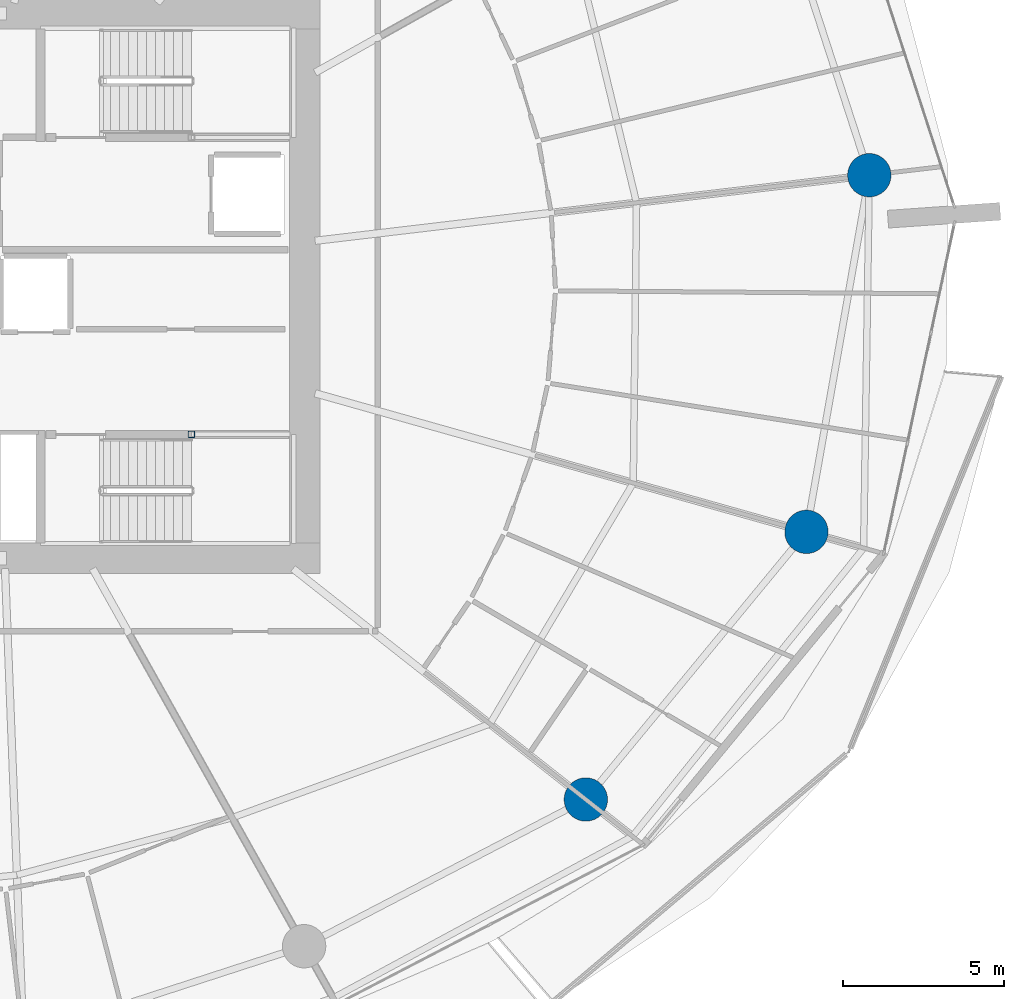
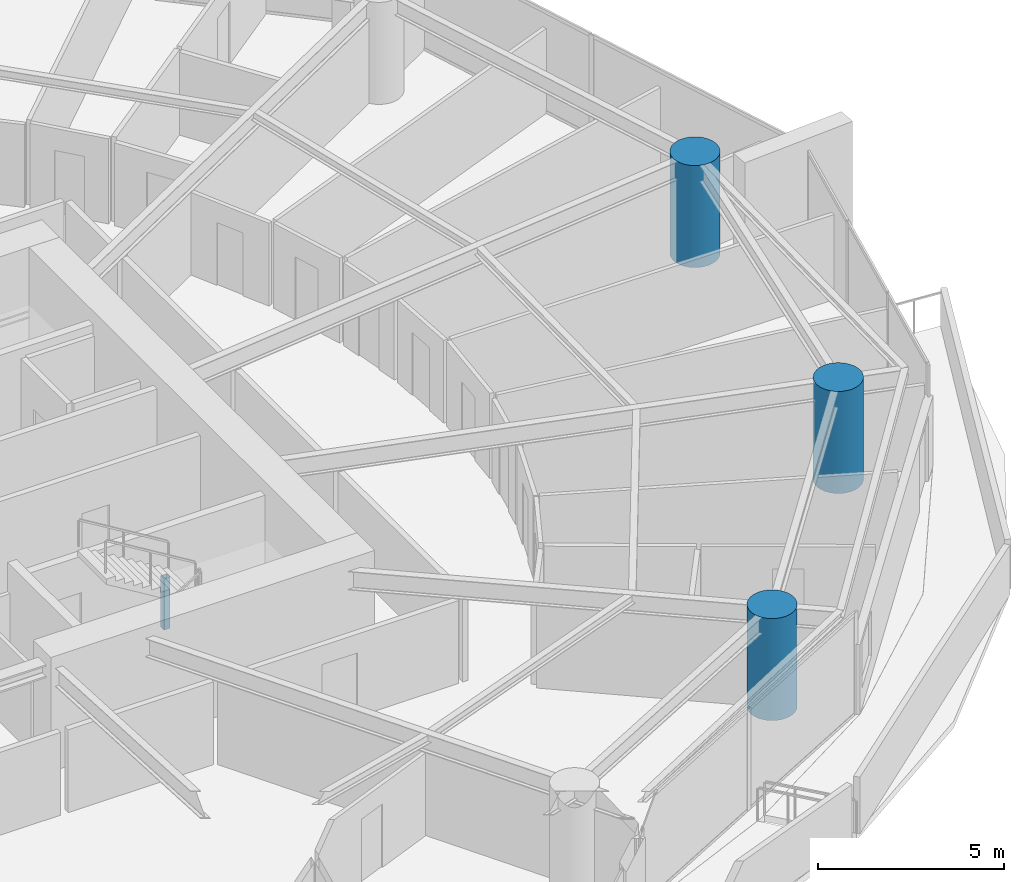
# One storey, part 3 of 31: 4 columns.
"""IFC4 building model written with IfcOpenShell, lengths in metres."""

from ifc_helpers import new_model, si_unit, direction, frame, origin, origin_2d, place, context, subcontext, project, spatial, hollow_rectangle, circle, extrude, material, material_profile, profile_set, type_object, element, save


model = new_model("IFC4")

# Units and contexts
model_context = context("Model", 3, precision=1e-05, world=origin(), true_north=direction((0.0, 1.0)))
body_context = subcontext(model_context, "Body", "Model", "MODEL_VIEW")
ifc_project = project(units=[si_unit("LENGTHUNIT", "METRE"), si_unit("AREAUNIT", "SQUARE_METRE"), si_unit("VOLUMEUNIT", "CUBIC_METRE"), si_unit("PLANEANGLEUNIT", "RADIAN"), si_unit("MASSUNIT", "GRAM", prefix="KILO")], contexts=[model_context])

# Site, building, storey
site_placement = place(None, origin())
site = spatial("IfcSite", under=ifc_project, at=site_placement, CompositionType="ELEMENT")
building_placement = place(site_placement, origin())
building = spatial("IfcBuilding", under=site, at=building_placement, Name="Kazma Halo Residences", CompositionType="ELEMENT")
storey_placement = place(building_placement, frame((0.0, 0.0, 67.64990234375)))
storey = spatial("IfcBuildingStorey", under=building, at=storey_placement, Name="L16", CompositionType="ELEMENT", Elevation=67.64990234375)

# Columns
ifc_material_1 = material(Name="Steel S355", Category="steel")
ifc_material_profile_1 = material_profile(ifc_material_1, hollow_rectangle(XDim=0.199951171875, YDim=0.199951171875, WallThickness=0.010009765625, InnerFilletRadius=0.010009765625, OuterFilletRadius=0.02001953125, at=origin_2d()), Name="SHS200x200x10")
ifc_profile_set_1 = profile_set([ifc_material_profile_1], Name="Steel S355")
column_type_1 = type_object("IfcColumnType", Name="COL-LP-SHS200", PredefinedType="COLUMN", material=ifc_profile_set_1)
column_placement = place(storey_placement, frame((56.0, 37.3798828125, 0.0), z_axis=(0.0, 0.0, 1.0), x_axis=(1.0, 0.0, 0.0)))
element("IfcColumn", 1, at=column_placement, inside=storey, type_object=column_type_1, Name="L16 ST-03 landing pilaster 1", PredefinedType="COLUMN", context=body_context, shape_type="SweptSolid", body=[
    extrude(hollow_rectangle(XDim=0.199951171875, YDim=0.199951171875, WallThickness=0.010009765625, InnerFilletRadius=0.010009765625, OuterFilletRadius=0.02001953125, at=origin_2d()), origin(), (0.0, 0.0, 1.0), 1.670166015625),
])
ifc_material_2 = material(Name="Concrete C80/95", Category="concrete")
ifc_material_profile_2 = material_profile(ifc_material_2, circle(Radius=0.675048828125, at=origin_2d()), Name="CIRC1350")
ifc_profile_set_2 = profile_set([ifc_material_profile_2], Name="Concrete C80/95")
column_type_2 = type_object("IfcColumnType", Name="COL-PERIM-1350", PredefinedType="COLUMN", material=ifc_profile_set_2)
for number, where, z_axis, x_axis, name in (
    (2, (68.27587890625, 26.015869140625, 0.0), (0.0, 0.0, 1.0), (1.0, 0.0, 0.0), "L16 perimeter ring column P14"),
    (3, (75.140869140625, 34.345458984375, 0.0), (0.0, 0.0, 1.0), (1.0, 0.0, 0.0), "L16 perimeter ring column P15"),
    (4, (77.097900390625, 45.444091796875, 0.0), (0.0, 0.0, 1.0), (1.0, 0.0, 0.0), "L16 perimeter ring column P16"),
):
    element("IfcColumn", number, at=place(storey_placement, frame(where, z_axis=z_axis, x_axis=x_axis)), inside=storey, type_object=column_type_2, Name=name, PredefinedType="COLUMN", context=body_context, shape_type="SweptSolid", body=[
        extrude(circle(Radius=0.675048828125, at=origin_2d()), origin(), (0.0, 0.0, 1.0), 3.35009765625),
    ])

save(model, "model.ifc")
